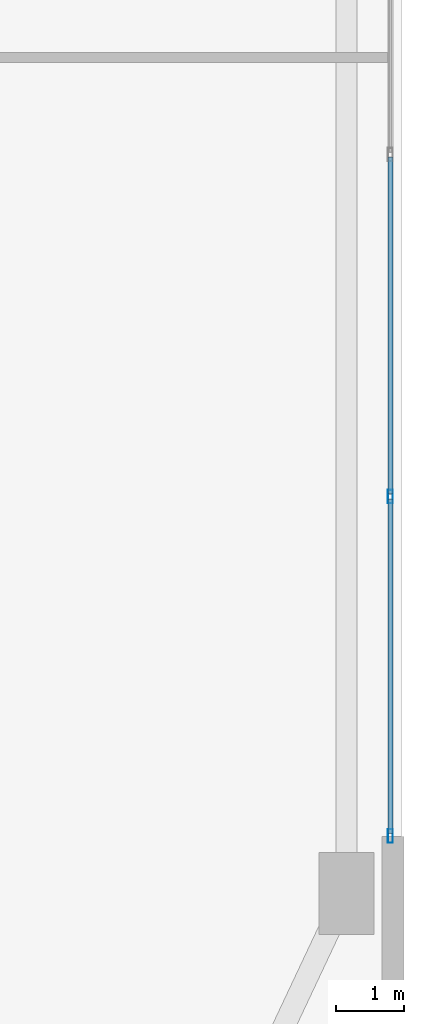
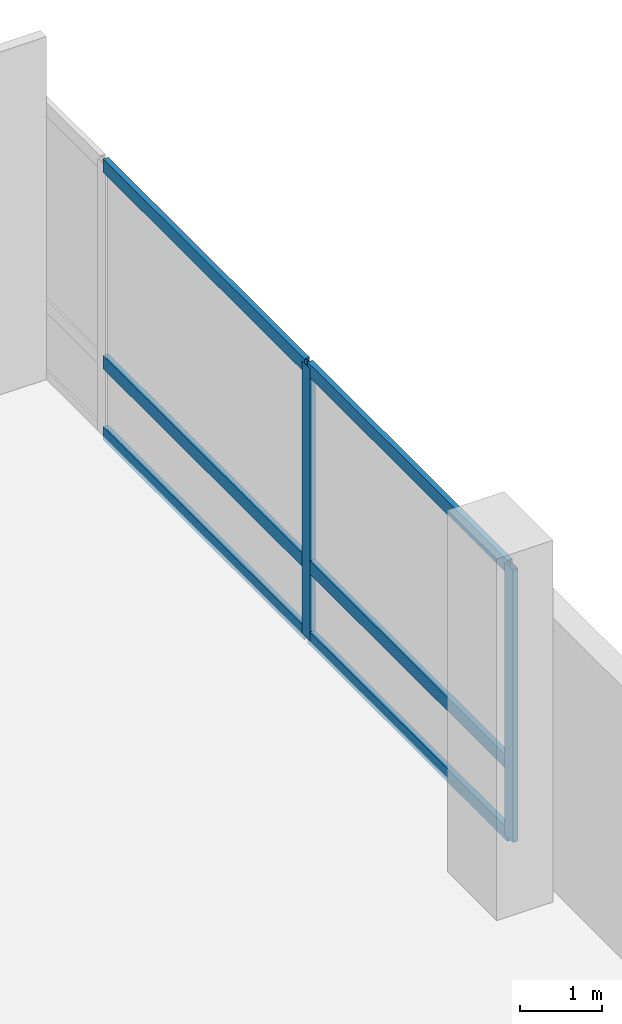
# One storey, part 19 of 36: 8 members, 1 element without a shape of its own.
"""IFC4 building model written with IfcOpenShell, lengths in metres."""

from ifc_helpers import new_model, si_unit, direction, frame, origin, origin_2d, place, context, subcontext, project, spatial, hollow_rectangle, extrude, material, layer, layer_set, material_profile, profile_set, type_object, element, aggregate, save


model = new_model("IFC4")

# Units and contexts
model_context = context("Model", 3, precision=1e-05, world=origin(), true_north=direction((0.0, 1.0)))
body_context = subcontext(model_context, "Body", "Model", "MODEL_VIEW")
ifc_project = project(units=[si_unit("LENGTHUNIT", "METRE"), si_unit("AREAUNIT", "SQUARE_METRE"), si_unit("VOLUMEUNIT", "CUBIC_METRE"), si_unit("PLANEANGLEUNIT", "RADIAN"), si_unit("MASSUNIT", "GRAM", prefix="KILO")], contexts=[model_context])

# Site, building, storey
site_placement = place(None, origin())
site = spatial("IfcSite", under=ifc_project, at=site_placement, CompositionType="ELEMENT")
building_placement = place(site_placement, origin())
building = spatial("IfcBuilding", under=site, at=building_placement, Name="Varnelok Gate Tower", CompositionType="ELEMENT")
storey_placement = place(building_placement, frame((0.0, 0.0, 10.800048828125)))
storey = spatial("IfcBuildingStorey", under=building, at=storey_placement, Name="L02", CompositionType="ELEMENT", Elevation=10.800048828125)

# Curtain wall, members
ifc_material = material(Name="Anodized Aluminum Alloy 6063-T6", Category="aluminium")
ifc_layer = layer(ifc_material, 0.179931640625)
ifc_layer_set = layer_set([ifc_layer], Name="Anodized Aluminum Alloy 6063-T6")
curtain_wall_type = type_object("IfcCurtainWallType", Name="CW1-ARCH-PORTAL", PredefinedType="USERDEFINED", material=ifc_layer_set)
curtain_wall_placement = place(storey_placement, origin())
curtain_wall = element("IfcCurtainWall", 1, at=curtain_wall_placement, inside=storey, type_object=curtain_wall_type, Name="L02 Podium Portal Curtain Wall E", ObjectType="UNITISED CURTAIN WALL", PredefinedType="USERDEFINED")
ifc_material_profile_1 = material_profile(ifc_material, hollow_rectangle(XDim=0.074951171875, YDim=0.199951171875, WallThickness=0.00390625, at=origin_2d()), Name="ALU200X75X4")
ifc_profile_set_1 = profile_set([ifc_material_profile_1], Name="Anodized Aluminum Alloy 6063-T6")
member_type_1 = type_object("IfcMemberType", Name="CW-MULL-200", PredefinedType="MULLION", material=ifc_profile_set_1)
member_1_placement = place(storey_placement, frame((78.239990234375, 20.199951171875, 0.0), z_axis=(0.0, 0.0, 1.0), x_axis=(1.0, 0.0, 0.0)))
member_1 = element("IfcMember", 2, at=member_1_placement, type_object=member_type_1, Name="CW1 mullion 4", PredefinedType="MULLION", context=body_context, shape_type="SweptSolid", body=[
    extrude(hollow_rectangle(XDim=0.074951171875, YDim=0.199951171875, WallThickness=0.00390625, at=origin_2d()), origin(), (0.0, 0.0, 1.0), 4.070068359375),
])
member_2_placement = place(storey_placement, frame((78.239990234375, 15.237548828125, 0.0), z_axis=(0.0, 0.0, 1.0), x_axis=(1.0, 0.0, 0.0)))
member_2 = element("IfcMember", 3, at=member_2_placement, type_object=member_type_1, Name="CW1 mullion 5", PredefinedType="MULLION", context=body_context, shape_type="SweptSolid", body=[
    extrude(hollow_rectangle(XDim=0.074951171875, YDim=0.199951171875, WallThickness=0.00390625, at=origin_2d()), origin(), (0.0, 0.0, 1.0), 4.070068359375),
])
ifc_material_profile_2 = material_profile(ifc_material, hollow_rectangle(XDim=0.074951171875, YDim=0.199951171875, WallThickness=0.00390625, at=origin_2d()), Name="ALU200X75X4")
ifc_profile_set_2 = profile_set([ifc_material_profile_2], Name="Anodized Aluminum Alloy 6063-T6")
member_type_2 = type_object("IfcMemberType", Name="CW-TRAN-200", PredefinedType="USERDEFINED", material=ifc_profile_set_2)
member_3_placement = place(storey_placement, frame((78.239990234375, 25.16259765625, 0.037353515625), z_axis=(0.0, -1.0, 0.0), x_axis=(1.0, 0.0, 0.0)))
member_3 = element("IfcMember", 4, at=member_3_placement, type_object=member_type_2, Name="CW1 transom 3.1", ObjectType="TRANSOM", PredefinedType="USERDEFINED", context=body_context, shape_type="SweptSolid", body=[
    extrude(hollow_rectangle(XDim=0.074951171875, YDim=0.199951171875, WallThickness=0.00390625, at=origin_2d()), origin(), (0.0, 0.0, 1.0), 4.925048828125),
])
member_4_placement = place(storey_placement, frame((78.239990234375, 25.16259765625, 1.099853515625), z_axis=(0.0, -1.0, 0.0), x_axis=(1.0, 0.0, 0.0)))
member_4 = element("IfcMember", 5, at=member_4_placement, type_object=member_type_2, Name="CW1 transom 3.2", ObjectType="TRANSOM", PredefinedType="USERDEFINED", context=body_context, shape_type="SweptSolid", body=[
    extrude(hollow_rectangle(XDim=0.074951171875, YDim=0.199951171875, WallThickness=0.00390625, at=origin_2d()), origin(), (0.0, 0.0, 1.0), 4.925048828125),
])
member_5_placement = place(storey_placement, frame((78.239990234375, 25.16259765625, 4.032470703125), z_axis=(0.0, -1.0, 0.0), x_axis=(1.0, 0.0, 0.0)))
member_5 = element("IfcMember", 6, at=member_5_placement, type_object=member_type_2, Name="CW1 transom 3.3", ObjectType="TRANSOM", PredefinedType="USERDEFINED", context=body_context, shape_type="SweptSolid", body=[
    extrude(hollow_rectangle(XDim=0.074951171875, YDim=0.199951171875, WallThickness=0.00390625, at=origin_2d()), origin(), (0.0, 0.0, 1.0), 4.925048828125),
])
member_6_placement = place(storey_placement, frame((78.239990234375, 20.16259765625, 0.037353515625), z_axis=(0.0, -1.0, 0.0), x_axis=(1.0, 0.0, 0.0)))
member_6 = element("IfcMember", 7, at=member_6_placement, type_object=member_type_2, Name="CW1 transom 4.1", ObjectType="TRANSOM", PredefinedType="USERDEFINED", context=body_context, shape_type="SweptSolid", body=[
    extrude(hollow_rectangle(XDim=0.074951171875, YDim=0.199951171875, WallThickness=0.00390625, at=origin_2d()), origin(), (0.0, 0.0, 1.0), 4.8876953125),
])
member_7_placement = place(storey_placement, frame((78.239990234375, 20.16259765625, 1.099853515625), z_axis=(0.0, -1.0, 0.0), x_axis=(1.0, 0.0, 0.0)))
member_7 = element("IfcMember", 8, at=member_7_placement, type_object=member_type_2, Name="CW1 transom 4.2", ObjectType="TRANSOM", PredefinedType="USERDEFINED", context=body_context, shape_type="SweptSolid", body=[
    extrude(hollow_rectangle(XDim=0.074951171875, YDim=0.199951171875, WallThickness=0.00390625, at=origin_2d()), origin(), (0.0, 0.0, 1.0), 4.8876953125),
])
member_8_placement = place(storey_placement, frame((78.239990234375, 20.16259765625, 4.032470703125), z_axis=(0.0, -1.0, 0.0), x_axis=(1.0, 0.0, 0.0)))
member_8 = element("IfcMember", 9, at=member_8_placement, type_object=member_type_2, Name="CW1 transom 4.3", ObjectType="TRANSOM", PredefinedType="USERDEFINED", context=body_context, shape_type="SweptSolid", body=[
    extrude(hollow_rectangle(XDim=0.074951171875, YDim=0.199951171875, WallThickness=0.00390625, at=origin_2d()), origin(), (0.0, 0.0, 1.0), 4.8876953125),
])
aggregate(curtain_wall, [member_1, member_2, member_3, member_4, member_5, member_6, member_7, member_8])

save(model, "model.ifc")
